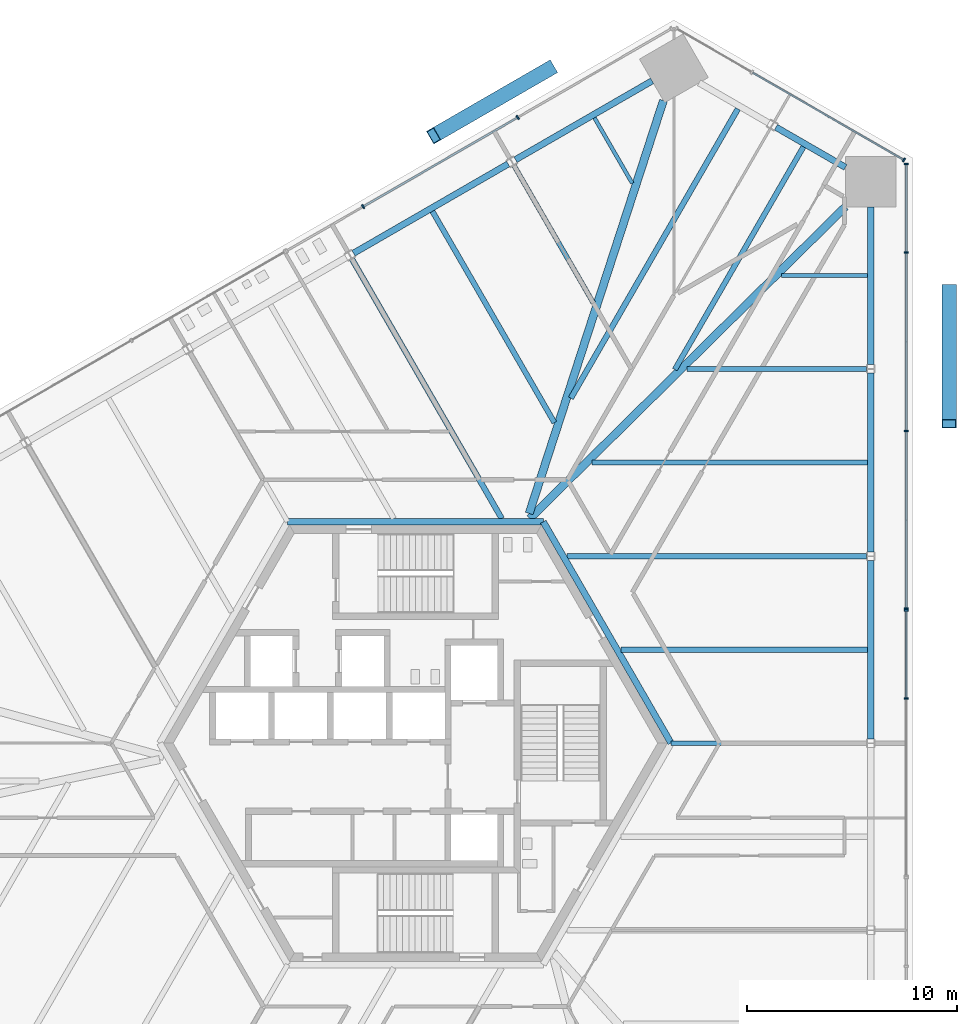
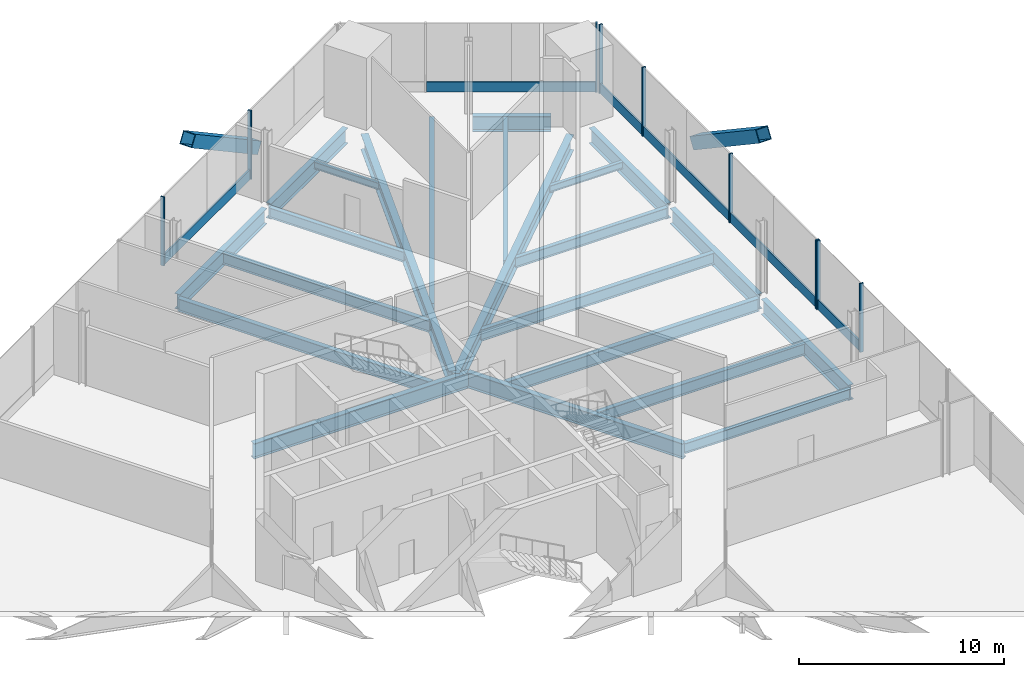
# One storey, part 7 of 16: 22 beams, 17 members, 4 elements without a shape of their own.
"""IFC4 building model written with IfcOpenShell, lengths in metres."""

from ifc_helpers import new_model, si_unit, direction, frame, origin, origin_2d, place, context, subcontext, project, spatial, rectangle, hollow_rectangle, i_section, extrude, source, transform, mapped, material, material_profile, profile_set, type_object, element, aggregate, save


model = new_model("IFC4")

# Units and contexts
model_context = context("Model", 3, precision=1e-05, world=origin(), true_north=direction((0.0, 1.0)))
body_context = subcontext(model_context, "Body", "Model", "MODEL_VIEW")
ifc_project = project(units=[si_unit("LENGTHUNIT", "METRE"), si_unit("AREAUNIT", "SQUARE_METRE"), si_unit("VOLUMEUNIT", "CUBIC_METRE"), si_unit("PLANEANGLEUNIT", "RADIAN"), si_unit("MASSUNIT", "GRAM", prefix="KILO")], contexts=[model_context])

# Site, building, storey
site_placement = place(None, origin())
site = spatial("IfcSite", under=ifc_project, at=site_placement, CompositionType="ELEMENT")
building_placement = place(site_placement, origin())
building = spatial("IfcBuilding", under=site, at=building_placement, Name="Triune Harvest Tower", CompositionType="ELEMENT")
storey_placement = place(building_placement, frame((0.0, 0.0, 20.300048828125)))
storey = spatial("IfcBuildingStorey", under=building, at=storey_placement, Name="L04", CompositionType="ELEMENT", Elevation=20.300048828125)

# Beams
ifc_material_1 = material(Name="Steel ASTM A992 Gr 50", Category="steel")
ifc_material_profile_1 = material_profile(ifc_material_1, i_section(OverallWidth=0.3046875, OverallDepth=0.914306640625, WebThickness=0.0166015625, FlangeThickness=0.02587890625, at=origin_2d()), Name="W36x160")
ifc_profile_set_1 = profile_set([ifc_material_profile_1], Name="Steel ASTM A992 Gr 50")
beam_type_1 = type_object("IfcBeamType", Name="CG-1 Core ring girder W36x160", PredefinedType="BEAM", material=ifc_profile_set_1)
shared_shape_1 = source(origin(), body_context, "Body", "SweptSolid", [
    extrude(i_section(OverallWidth=0.3046875, OverallDepth=0.914306640625, WebThickness=0.0166015625, FlangeThickness=0.02587890625, at=origin_2d()), origin(), (0.0, 0.0, 1.0), 12.176025390625),
])
beam_1_placement = place(storey_placement, frame((12.176025390625, 0.0, -0.6572265625), z_axis=(-0.5000099932, 0.866019634131, 0.0), x_axis=(-0.866019634131, -0.5000099932, 0.0)))
element("IfcBeam", 1, at=beam_1_placement, inside=storey, type_object=beam_type_1, Name="beam/L04/CG1", PredefinedType="BEAM", context=body_context, shape_type="MappedRepresentation", body=[
    mapped(shared_shape_1, transform((0.0, 0.0, 0.0), scale=1.0)),
])
shared_shape_2 = source(origin(), body_context, "Body", "SweptSolid", [
    extrude(i_section(OverallWidth=0.3046875, OverallDepth=0.914306640625, WebThickness=0.0166015625, FlangeThickness=0.02587890625, at=origin_2d()), origin(), (0.0, 0.0, 1.0), 12.17578125),
])
beam_2_placement = place(storey_placement, frame((6.087890625, 10.544677734375, -0.6572265625), z_axis=(-1.0, 0.0, 0.0), x_axis=(0.0, -1.0, 0.0)))
element("IfcBeam", 2, at=beam_2_placement, inside=storey, type_object=beam_type_1, Name="beam/L04/CG2", PredefinedType="BEAM", context=body_context, shape_type="MappedRepresentation", body=[
    mapped(shared_shape_2, transform((0.0, 0.0, 0.0), scale=1.0)),
])
ifc_material_2 = material(Name="Steel ASTM A992 Gr 50", Category="steel")
ifc_material_profile_2 = material_profile(ifc_material_2, i_section(OverallWidth=0.383544921875, OverallDepth=0.9423828125, WebThickness=0.022216796875, FlangeThickness=0.039794921875, at=origin_2d()), Name="W36x232")
ifc_profile_set_2 = profile_set([ifc_material_profile_2], Name="Steel ASTM A992 Gr 50")
beam_type_2 = type_object("IfcBeamType", Name="HG-1 Hip girder W36x232", PredefinedType="BEAM", material=ifc_profile_set_2)
shared_shape_3 = source(origin(), body_context, "Body", "SweptSolid", [
    extrude(i_section(OverallWidth=0.383544921875, OverallDepth=0.9423828125, WebThickness=0.022216796875, FlangeThickness=0.039794921875, at=origin_2d()), origin(), (0.0, 0.0, 1.0), 21.132568359375),
])
beam_3_placement = place(storey_placement, frame((20.4794921875, 25.545166015625, -0.671142578125), z_axis=(-0.711563602244, -0.7026216905, 0.0), x_axis=(0.7026216905, -0.711563602244, 0.0)))
element("IfcBeam", 3, at=beam_3_placement, inside=storey, type_object=beam_type_2, Name="beam/L04/HG2", PredefinedType="BEAM", context=body_context, shape_type="MappedRepresentation", body=[
    mapped(shared_shape_3, transform((0.0, 0.0, 0.0), scale=1.0)),
])
shared_shape_4 = source(origin(), body_context, "Body", "SweptSolid", [
    extrude(i_section(OverallWidth=0.383544921875, OverallDepth=0.9423828125, WebThickness=0.022216796875, FlangeThickness=0.039794921875, at=origin_2d()), origin(), (0.0, 0.0, 1.0), 20.676025390625),
])
beam_4_placement = place(storey_placement, frame((11.809814453125, 30.6044921875, -0.671142578125), z_axis=(-0.309191000288, -0.950999960747, 0.0), x_axis=(0.950999960747, -0.309191000288, 0.0)))
element("IfcBeam", 4, at=beam_4_placement, inside=storey, type_object=beam_type_2, Name="beam/L04/HG3", PredefinedType="BEAM", context=body_context, shape_type="MappedRepresentation", body=[
    mapped(shared_shape_4, transform((0.0, 0.0, 0.0), scale=1.0)),
])
ifc_material_3 = material(Name="Steel ASTM A992 Gr 50", Category="steel")
ifc_material_profile_3 = material_profile(ifc_material_3, i_section(OverallWidth=0.2666015625, OverallDepth=0.7568359375, WebThickness=0.013916015625, FlangeThickness=0.019287109375, at=origin_2d()), Name="W30x108")
ifc_profile_set_3 = profile_set([ifc_material_profile_3], Name="Steel ASTM A992 Gr 50")
beam_type_3 = type_object("IfcBeamType", Name="JT-5 Floor joist W30x108", PredefinedType="JOIST", material=ifc_profile_set_3)
shared_shape_5 = source(origin(), body_context, "Body", "SweptSolid", [
    extrude(i_section(OverallWidth=0.2666015625, OverallDepth=0.7568359375, WebThickness=0.013916015625, FlangeThickness=0.019287109375, at=origin_2d()), origin(), (0.0, 0.0, 1.0), 14.2685546875),
])
for number, where, z_axis, x_axis, name in (
    (5, (21.476318359375, 8.909912109375, -0.57861328125), (-1.0, 0.0, 0.0), (0.0, -1.0, 0.0), "beam/L04/JT8"),
    (6, (-3.02197265625, 23.053955078125, -0.57861328125), (0.499999916269, -0.866025452127, 0.0), (0.866025452127, 0.499999916269, 0.0), "beam/L04/JT17"),
):
    element("IfcBeam", number, at=place(storey_placement, frame(where, z_axis=z_axis, x_axis=x_axis)), inside=storey, type_object=beam_type_3, Name=name, PredefinedType="JOIST", context=body_context, shape_type="MappedRepresentation", body=[
        mapped(shared_shape_5, transform((0.0, 0.0, 0.0), scale=1.0)),
    ])
ifc_material_4 = material(Name="Steel ASTM A992 Gr 50", Category="steel")
ifc_material_profile_4 = material_profile(ifc_material_4, i_section(OverallWidth=0.22900390625, OverallDepth=0.612060546875, WebThickness=0.011962890625, FlangeThickness=0.01953125, at=origin_2d()), Name="W24x84")
ifc_profile_set_4 = profile_set([ifc_material_profile_4], Name="Steel ASTM A992 Gr 50")
beam_type_4 = type_object("IfcBeamType", Name="JT-3 Floor joist W24x84", PredefinedType="JOIST", material=ifc_profile_set_4)
shared_shape_6 = source(origin(), body_context, "Body", "SweptSolid", [
    extrude(i_section(OverallWidth=0.22900390625, OverallDepth=0.612060546875, WebThickness=0.011962890625, FlangeThickness=0.01953125, at=origin_2d()), origin(), (0.0, 0.0, 1.0), 9.30029296875),
])
beam_5_placement = place(storey_placement, frame((21.476318359375, 0.0, -0.506103515625), z_axis=(-1.0, 0.0, 0.0), x_axis=(0.0, -1.0, 0.0)))
element("IfcBeam", 7, at=beam_5_placement, inside=storey, type_object=beam_type_4, Name="beam/L04/JT6", PredefinedType="JOIST", context=body_context, shape_type="MappedRepresentation", body=[
    mapped(shared_shape_6, transform((0.0, 0.0, 0.0), scale=1.0)),
])
shared_shape_7 = source(origin(), body_context, "Body", "SweptSolid", [
    extrude(i_section(OverallWidth=0.22900390625, OverallDepth=0.612060546875, WebThickness=0.011962890625, FlangeThickness=0.01953125, at=origin_2d()), origin(), (0.0, 0.0, 1.0), 8.54736328125),
])
beam_6_placement = place(storey_placement, frame((21.476318359375, 17.820068359375, -0.506103515625), z_axis=(-1.0, 0.0, 0.0), x_axis=(0.0, -1.0, 0.0)))
element("IfcBeam", 8, at=beam_6_placement, inside=storey, type_object=beam_type_4, Name="beam/L04/JT10", PredefinedType="JOIST", context=body_context, shape_type="MappedRepresentation", body=[
    mapped(shared_shape_7, transform((0.0, 0.0, 0.0), scale=1.0)),
])
shared_shape_8 = source(origin(), body_context, "Body", "SweptSolid", [
    extrude(i_section(OverallWidth=0.22900390625, OverallDepth=0.612060546875, WebThickness=0.011962890625, FlangeThickness=0.01953125, at=origin_2d()), origin(), (0.0, 0.0, 1.0), 7.55859375),
])
beam_7_placement = place(storey_placement, frame((4.6943359375, 27.509033203125, -0.506103515625), z_axis=(0.500002049001, -0.86602422079, 0.0), x_axis=(0.86602422079, 0.500002049001, 0.0)))
element("IfcBeam", 9, at=beam_7_placement, inside=storey, type_object=beam_type_4, Name="beam/L04/JT15", PredefinedType="JOIST", context=body_context, shape_type="MappedRepresentation", body=[
    mapped(shared_shape_8, transform((0.0, 0.0, 0.0), scale=1.0)),
])
ifc_material_5 = material(Name="Steel ASTM A992 Gr 50", Category="steel")
ifc_material_profile_5 = material_profile(ifc_material_5, i_section(OverallWidth=0.3046875, OverallDepth=0.914306640625, WebThickness=0.0166015625, FlangeThickness=0.02587890625, at=origin_2d()), Name="W36x160")
ifc_profile_set_5 = profile_set([ifc_material_profile_5], Name="Steel ASTM A992 Gr 50")
beam_type_5 = type_object("IfcBeamType", Name="SB-1 Spandrel beam W36x160", PredefinedType="SPANDREL", material=ifc_profile_set_5)
shared_shape_9 = source(origin(), body_context, "Body", "SweptSolid", [
    extrude(i_section(OverallWidth=0.3046875, OverallDepth=0.914306640625, WebThickness=0.0166015625, FlangeThickness=0.02587890625, at=origin_2d()), origin(), (0.0, 0.0, 1.0), 7.508056640625),
])
beam_8_placement = place(storey_placement, frame((21.679443359375, 18.02197265625, -0.6572265625), z_axis=(0.0, 1.0, 0.0), x_axis=(-1.0, 0.0, 0.0)))
element("IfcBeam", 10, at=beam_8_placement, inside=storey, type_object=beam_type_5, Name="beam/L04/SB6", PredefinedType="SPANDREL", context=body_context, shape_type="MappedRepresentation", body=[
    mapped(shared_shape_9, transform((0.0, 0.0, 0.0), scale=1.0)),
])
shared_shape_10 = source(origin(), body_context, "Body", "SweptSolid", [
    extrude(i_section(OverallWidth=0.3046875, OverallDepth=0.914306640625, WebThickness=0.0166015625, FlangeThickness=0.02587890625, at=origin_2d()), origin(), (0.0, 0.0, 1.0), 8.50634765625),
])
beam_9_placement = place(storey_placement, frame((21.679443359375, 9.11181640625, -0.6572265625), z_axis=(0.0, 1.0, 0.0), x_axis=(-1.0, 0.0, 0.0)))
element("IfcBeam", 11, at=beam_9_placement, inside=storey, type_object=beam_type_5, Name="beam/L04/SB5", PredefinedType="SPANDREL", context=body_context, shape_type="MappedRepresentation", body=[
    mapped(shared_shape_10, transform((0.0, 0.0, 0.0), scale=1.0)),
])
shared_shape_11 = source(origin(), body_context, "Body", "SweptSolid", [
    extrude(i_section(OverallWidth=0.3046875, OverallDepth=0.914306640625, WebThickness=0.0166015625, FlangeThickness=0.02587890625, at=origin_2d()), origin(), (0.0, 0.0, 1.0), 8.506103515625),
])
for number, where, z_axis, x_axis, name in (
    (12, (21.679443359375, 0.201904296875, -0.6572265625), (0.0, 1.0, 0.0), (-1.0, 0.0, 0.0), "beam/L04/SB4"),
    (13, (4.41796875, 27.583984375, -0.6572265625), (-0.866030246746, -0.49999161165, 0.0), (0.49999161165, -0.866030246746, 0.0), "beam/L04/SB10"),
):
    element("IfcBeam", number, at=place(storey_placement, frame(where, z_axis=z_axis, x_axis=x_axis)), inside=storey, type_object=beam_type_5, Name=name, PredefinedType="SPANDREL", context=body_context, shape_type="MappedRepresentation", body=[
        mapped(shared_shape_11, transform((0.0, 0.0, 0.0), scale=1.0)),
    ])
shared_shape_12 = source(origin(), body_context, "Body", "SweptSolid", [
    extrude(i_section(OverallWidth=0.3046875, OverallDepth=0.914306640625, WebThickness=0.0166015625, FlangeThickness=0.02587890625, at=origin_2d()), origin(), (0.0, 0.0, 1.0), 3.822265625),
])
beam_10_placement = place(storey_placement, frame((20.4794921875, 27.4228515625, -0.6572265625), z_axis=(-0.866033487859, 0.499985997711, 0.0), x_axis=(-0.499985997711, -0.866033487859, 0.0)))
element("IfcBeam", 14, at=beam_10_placement, inside=storey, type_object=beam_type_5, Name="beam/L04/SB7", PredefinedType="SPANDREL", context=body_context, shape_type="MappedRepresentation", body=[
    mapped(shared_shape_12, transform((0.0, 0.0, 0.0), scale=1.0)),
])
shared_shape_13 = source(origin(), body_context, "Body", "SweptSolid", [
    extrude(i_section(OverallWidth=0.3046875, OverallDepth=0.914306640625, WebThickness=0.0166015625, FlangeThickness=0.02587890625, at=origin_2d()), origin(), (0.0, 0.0, 1.0), 7.50830078125),
])
beam_11_placement = place(storey_placement, frame((11.27001953125, 31.5400390625, -0.6572265625), z_axis=(-0.866027474485, -0.499996413425, 0.0), x_axis=(0.499996413425, -0.866027474485, 0.0)))
element("IfcBeam", 15, at=beam_11_placement, inside=storey, type_object=beam_type_5, Name="beam/L04/SB9", PredefinedType="SPANDREL", context=body_context, shape_type="MappedRepresentation", body=[
    mapped(shared_shape_13, transform((0.0, 0.0, 0.0), scale=1.0)),
])
ifc_material_6 = material(Name="Steel ASTM A992 Gr 50", Category="steel")
ifc_material_profile_6 = material_profile(ifc_material_6, i_section(OverallWidth=0.180908203125, OverallDepth=0.41650390625, WebThickness=0.010986328125, FlangeThickness=0.01806640625, at=origin_2d()), Name="W16x57")
ifc_profile_set_6 = profile_set([ifc_material_profile_6], Name="Steel ASTM A992 Gr 50")
beam_type_6 = type_object("IfcBeamType", Name="JT-1 Floor joist W16x57", PredefinedType="JOIST", material=ifc_profile_set_6)
shared_shape_14 = source(origin(), body_context, "Body", "SweptSolid", [
    extrude(i_section(OverallWidth=0.180908203125, OverallDepth=0.41650390625, WebThickness=0.010986328125, FlangeThickness=0.01806640625, at=origin_2d()), origin(), (0.0, 0.0, 1.0), 3.599365234375),
])
beam_12_placement = place(storey_placement, frame((8.527099609375, 29.780517578125, -0.408447265625), z_axis=(0.50001992892, -0.866013897511, 0.0), x_axis=(0.866013897511, 0.50001992892, 0.0)))
element("IfcBeam", 16, at=beam_12_placement, inside=storey, type_object=beam_type_6, Name="beam/L04/JT14", PredefinedType="JOIST", context=body_context, shape_type="MappedRepresentation", body=[
    mapped(shared_shape_14, transform((0.0, 0.0, 0.0), scale=1.0)),
])
ifc_material_7 = material(Name="Steel ASTM A992 Gr 50", Category="steel")
ifc_material_profile_7 = material_profile(ifc_material_7, i_section(OverallWidth=0.253662109375, OverallDepth=0.683349609375, WebThickness=0.012451171875, FlangeThickness=0.01904296875, at=origin_2d()), Name="W27x94")
ifc_profile_set_7 = profile_set([ifc_material_profile_7], Name="Steel ASTM A992 Gr 50")
beam_type_7 = type_object("IfcBeamType", Name="JT-4 Floor joist W27x94", PredefinedType="JOIST", material=ifc_profile_set_7)
shared_shape_15 = source(origin(), body_context, "Body", "SweptSolid", [
    extrude(i_section(OverallWidth=0.253662109375, OverallDepth=0.683349609375, WebThickness=0.012451171875, FlangeThickness=0.01904296875, at=origin_2d()), origin(), (0.0, 0.0, 1.0), 11.747314453125),
])
beam_13_placement = place(storey_placement, frame((21.527099609375, 4.455078125, -0.541748046875), z_axis=(-1.0, 0.0, 0.0), x_axis=(0.0, -1.0, 0.0)))
element("IfcBeam", 17, at=beam_13_placement, inside=storey, type_object=beam_type_7, Name="beam/L04/JT7", PredefinedType="JOIST", context=body_context, shape_type="MappedRepresentation", body=[
    mapped(shared_shape_15, transform((0.0, 0.0, 0.0), scale=1.0)),
])
shared_shape_16 = source(origin(), body_context, "Body", "SweptSolid", [
    extrude(i_section(OverallWidth=0.253662109375, OverallDepth=0.683349609375, WebThickness=0.012451171875, FlangeThickness=0.01904296875, at=origin_2d()), origin(), (0.0, 0.0, 1.0), 13.110107421875),
])
beam_14_placement = place(storey_placement, frame((21.527099609375, 13.364990234375, -0.541748046875), z_axis=(-1.0, 0.0, 0.0), x_axis=(0.0, -1.0, 0.0)))
element("IfcBeam", 18, at=beam_14_placement, inside=storey, type_object=beam_type_7, Name="beam/L04/JT9", PredefinedType="JOIST", context=body_context, shape_type="MappedRepresentation", body=[
    mapped(shared_shape_16, transform((0.0, 0.0, 0.0), scale=1.0)),
])
shared_shape_17 = source(origin(), body_context, "Body", "SweptSolid", [
    extrude(i_section(OverallWidth=0.180908203125, OverallDepth=0.41650390625, WebThickness=0.010986328125, FlangeThickness=0.01806640625, at=origin_2d()), origin(), (0.0, 0.0, 1.0), 4.08642578125),
])
beam_15_placement = place(storey_placement, frame((21.527099609375, 22.27490234375, -0.408447265625), z_axis=(-1.0, 0.0, 0.0), x_axis=(0.0, -1.0, 0.0)))
element("IfcBeam", 19, at=beam_15_placement, inside=storey, type_object=beam_type_6, Name="beam/L04/JT11", PredefinedType="JOIST", context=body_context, shape_type="MappedRepresentation", body=[
    mapped(shared_shape_17, transform((0.0, 0.0, 0.0), scale=1.0)),
])
shared_shape_18 = source(origin(), body_context, "Body", "SweptSolid", [
    extrude(i_section(OverallWidth=0.253662109375, OverallDepth=0.683349609375, WebThickness=0.012451171875, FlangeThickness=0.01904296875, at=origin_2d()), origin(), (0.0, 0.0, 1.0), 12.2509765625),
])
beam_16_placement = place(storey_placement, frame((18.479736328125, 28.4013671875, -0.541748046875), z_axis=(-0.500001335473, -0.866024632748, 0.0), x_axis=(0.866024632748, -0.500001335473, 0.0)))
element("IfcBeam", 20, at=beam_16_placement, inside=storey, type_object=beam_type_7, Name="beam/L04/JT12", PredefinedType="JOIST", context=body_context, shape_type="MappedRepresentation", body=[
    mapped(shared_shape_18, transform((0.0, 0.0, 0.0), scale=1.0)),
])
shared_shape_19 = source(origin(), body_context, "Body", "SweptSolid", [
    extrude(i_section(OverallWidth=0.2666015625, OverallDepth=0.7568359375, WebThickness=0.013916015625, FlangeThickness=0.019287109375, at=origin_2d()), origin(), (0.0, 0.0, 1.0), 15.90771484375),
])
beam_17_placement = place(storey_placement, frame((15.3564453125, 30.20458984375, -0.57861328125), z_axis=(-0.500003211559, -0.866023549582, 0.0), x_axis=(0.866023549582, -0.500003211559, 0.0)))
element("IfcBeam", 21, at=beam_17_placement, inside=storey, type_object=beam_type_3, Name="beam/L04/JT13", PredefinedType="JOIST", context=body_context, shape_type="MappedRepresentation", body=[
    mapped(shared_shape_19, transform((0.0, 0.0, 0.0), scale=1.0)),
])
shared_shape_20 = source(origin(), body_context, "Body", "SweptSolid", [
    extrude(i_section(OverallWidth=0.253662109375, OverallDepth=0.683349609375, WebThickness=0.012451171875, FlangeThickness=0.01904296875, at=origin_2d()), origin(), (0.0, 0.0, 1.0), 11.618896484375),
])
beam_18_placement = place(storey_placement, frame((0.810791015625, 25.325439453125, -0.541748046875), z_axis=(0.500008015982, -0.866020775706, 0.0), x_axis=(0.866020775706, 0.500008015982, 0.0)))
element("IfcBeam", 22, at=beam_18_placement, inside=storey, type_object=beam_type_7, Name="beam/L04/JT16", PredefinedType="JOIST", context=body_context, shape_type="MappedRepresentation", body=[
    mapped(shared_shape_20, transform((0.0, 0.0, 0.0), scale=1.0)),
])

# Members
ifc_material_8 = material(Name="Steel ASTM A572 Gr 50", Category="steel")
ifc_material_profile_8 = material_profile(ifc_material_8, hollow_rectangle(XDim=0.699951171875, YDim=0.699951171875, WallThickness=0.0400390625, at=origin_2d()), Name="Box 700x700x40")
ifc_profile_set_8 = profile_set([ifc_material_profile_8], Name="Steel ASTM A572 Gr 50")
member_type_1 = type_object("IfcMemberType", Name="BR-1 Brace Box 700x700x40", PredefinedType="BRACE", material=ifc_profile_set_8)
shared_shape_21 = source(origin(), body_context, "Body", "SweptSolid", [
    extrude(hollow_rectangle(XDim=0.699951171875, YDim=0.699951171875, WallThickness=0.0400390625, at=origin_2d()), origin(), (0.0, 0.0, 1.0), 7.728271484375),
])
member_1_placement = place(storey_placement, frame((25.42138671875, 21.63720703125, 0.0), z_axis=(0.0, -0.830916174562, 0.55639761938), x_axis=(1.0, 0.0, 0.0)))
element("IfcMember", 23, at=member_1_placement, inside=storey, type_object=member_type_1, Name="brace/B1-F1/d2/2", PredefinedType="BRACE", context=body_context, shape_type="MappedRepresentation", body=[
    mapped(shared_shape_21, transform((0.0, 0.0, 0.0), scale=1.0)),
])
shared_shape_22 = source(origin(), body_context, "Body", "SweptSolid", [
    extrude(hollow_rectangle(XDim=0.699951171875, YDim=0.699951171875, WallThickness=0.0400390625, at=origin_2d()), origin(), (0.0, 0.0, 1.0), 7.728515625),
])
member_2_placement = place(storey_placement, frame((6.427734375, 32.141357421875, 0.0), z_axis=(-0.719604017031, -0.415462336786, 0.556382157681), x_axis=(0.499998884236, -0.86602604797, 0.0)))
element("IfcMember", 24, at=member_2_placement, inside=storey, type_object=member_type_1, Name="brace/B1-F3/d1/2", PredefinedType="BRACE", context=body_context, shape_type="MappedRepresentation", body=[
    mapped(shared_shape_22, transform((0.0, 0.0, 0.0), scale=1.0)),
])

# Curtain wall, member
ifc_material_9 = material(Name="Aluminium bronze anodised", Category="aluminium")
curtain_wall_type_1 = type_object("IfcCurtainWallType", Name="CW-3 Farm floor curtain wall", PredefinedType="NOTDEFINED", material=ifc_material_9)
curtain_wall_1_placement = place(storey_placement, origin())
curtain_wall_1 = element("IfcCurtainWall", 25, at=curtain_wall_1_placement, inside=storey, type_object=curtain_wall_type_1, Name="CW-3 B1-F2 L04 run 1")
ifc_material_10 = material(Name="Aluminium bronze anodised", Category="aluminium")
ifc_material_profile_9 = material_profile(ifc_material_10, rectangle(XDim=0.090087890625, YDim=0.60009765625, at=origin_2d()), Name="TR-3 transom 90 x 600")
ifc_profile_set_9 = profile_set([ifc_material_profile_9], Name="Aluminium bronze anodised")
member_type_2 = type_object("IfcMemberType", Name="TR-3 transom 90 x 600", PredefinedType="USERDEFINED", material=ifc_profile_set_9)
shared_shape_23 = source(origin(), body_context, "Body", "SweptSolid", [
    extrude(rectangle(XDim=0.090087890625, YDim=0.60009765625, at=origin_2d()), origin(), (0.0, 0.0, 1.0), 8.27587890625),
])
member_3_placement = place(storey_placement, frame((23.22412109375, 27.791748046875, 0.300048828125), z_axis=(-0.866021501281, 0.500006759273, 0.0), x_axis=(-0.500006759273, -0.866021501281, 0.0)))
member_3 = element("IfcMember", 26, at=member_3_placement, type_object=member_type_2, Name="CW-3 transom B1-F2 1.1", ObjectType="TRANSOM", PredefinedType="USERDEFINED", context=body_context, shape_type="MappedRepresentation", body=[
    mapped(shared_shape_23, transform((0.0, 0.0, 0.0), scale=1.0)),
])

# Curtain wall, members
curtain_wall_2_placement = place(storey_placement, origin())
curtain_wall_2 = element("IfcCurtainWall", 27, at=curtain_wall_2_placement, inside=storey, type_object=curtain_wall_type_1, Name="CW-3 B1-F1 L04 run 1001")
ifc_material_11 = material(Name="Aluminium bronze anodised", Category="aluminium")
ifc_material_profile_10 = material_profile(ifc_material_11, rectangle(XDim=0.199951171875, YDim=0.080078125, at=origin_2d()), Name="MU-3 mullion 80 x 200")
ifc_profile_set_10 = profile_set([ifc_material_profile_10], Name="Aluminium bronze anodised")
member_type_3 = type_object("IfcMemberType", Name="MU-3 mullion 80 x 200", PredefinedType="MULLION", material=ifc_profile_set_10)
shared_shape_24 = source(origin(), body_context, "Body", "SweptSolid", [
    extrude(rectangle(XDim=0.199951171875, YDim=0.080078125, at=origin_2d()), origin(), (0.0, 0.0, 1.0), 4.099853515625),
])
member_4_placement = place(storey_placement, frame((23.371337890625, 2.124267578125, 0.0), z_axis=(0.0, 0.0, 1.0), x_axis=(-1.0, 0.0, 0.0)))
member_4 = element("IfcMember", 28, at=member_4_placement, type_object=member_type_3, Name="CW-3 mullion B1-F1 1001.3", PredefinedType="MULLION", context=body_context, shape_type="MappedRepresentation", body=[
    mapped(shared_shape_24, transform((0.0, 0.0, 0.0), scale=1.0)),
])
member_5_placement = place(storey_placement, frame((23.371337890625, 6.3330078125, 0.0), z_axis=(0.0, 0.0, 1.0), x_axis=(-1.0, 0.0, 0.0)))
member_5 = element("IfcMember", 29, at=member_5_placement, type_object=member_type_3, Name="CW-3 mullion B1-F1 1001.4", PredefinedType="MULLION", context=body_context, shape_type="MappedRepresentation", body=[
    mapped(shared_shape_24, transform((0.0, 0.0, 0.0), scale=1.0)),
])

ifc_material_12 = material(Name="Aluminium bronze anodised", Category="aluminium")
curtain_wall_type_2 = type_object("IfcCurtainWallType", Name="CW-8 Farm floor curtain wall with insulated spandrel infill", PredefinedType="NOTDEFINED", material=ifc_material_12)
curtain_wall_3_placement = place(storey_placement, origin())
curtain_wall_3 = element("IfcCurtainWall", 30, at=curtain_wall_3_placement, inside=storey, type_object=curtain_wall_type_2, Name="CW-8 B1-F1 L04 run 2001")
member_6_placement = place(storey_placement, frame((23.371337890625, 6.4130859375, 0.0), z_axis=(0.0, 0.0, 1.0), x_axis=(-1.0, 0.0, 0.0)))
member_6 = element("IfcMember", 31, at=member_6_placement, type_object=member_type_3, Name="CW-8 mullion B1-F1 2001.1", PredefinedType="MULLION", context=body_context, shape_type="MappedRepresentation", body=[
    mapped(shared_shape_24, transform((0.0, 0.0, 0.0), scale=1.0)),
])
member_7_placement = place(storey_placement, frame((23.371337890625, 14.87060546875, 0.0), z_axis=(0.0, 0.0, 1.0), x_axis=(-1.0, 0.0, 0.0)))
member_7 = element("IfcMember", 32, at=member_7_placement, type_object=member_type_3, Name="CW-8 mullion B1-F1 2001.3", PredefinedType="MULLION", context=body_context, shape_type="MappedRepresentation", body=[
    mapped(shared_shape_24, transform((0.0, 0.0, 0.0), scale=1.0)),
])
member_8_placement = place(storey_placement, frame((23.371337890625, 23.3681640625, 0.0), z_axis=(0.0, 0.0, 1.0), x_axis=(-1.0, 0.0, 0.0)))
member_8 = element("IfcMember", 33, at=member_8_placement, type_object=member_type_3, Name="CW-8 mullion B1-F1 2001.5", PredefinedType="MULLION", context=body_context, shape_type="MappedRepresentation", body=[
    mapped(shared_shape_24, transform((0.0, 0.0, 0.0), scale=1.0)),
])
member_9_placement = place(storey_placement, frame((23.371337890625, 27.576904296875, 0.0), z_axis=(0.0, 0.0, 1.0), x_axis=(-1.0, 0.0, 0.0)))
member_9 = element("IfcMember", 34, at=member_9_placement, type_object=member_type_3, Name="CW-8 mullion B1-F1 2001.6", PredefinedType="MULLION", context=body_context, shape_type="MappedRepresentation", body=[
    mapped(shared_shape_24, transform((0.0, 0.0, 0.0), scale=1.0)),
])

# Member
member_10_placement = place(storey_placement, frame((23.2587890625, 27.771728515625, 0.0), z_axis=(0.0, 0.0, 1.0), x_axis=(-0.499998715149, -0.866026145592, 0.0)))
member_10 = element("IfcMember", 35, at=member_10_placement, type_object=member_type_3, Name="CW-3 mullion B1-F2 1.1", PredefinedType="MULLION", context=body_context, shape_type="MappedRepresentation", body=[
    mapped(shared_shape_24, transform((0.0, 0.0, 0.0), scale=1.0)),
])

aggregate(curtain_wall_1, [member_10, member_3])

# Curtain wall, members
curtain_wall_4_placement = place(storey_placement, origin())
curtain_wall_4 = element("IfcCurtainWall", 36, at=curtain_wall_4_placement, inside=storey, type_object=curtain_wall_type_2, Name="CW-8 B1-F3 L04 run 1")
member_11_placement = place(storey_placement, frame((4.8720703125, 29.7998046875, 0.0), z_axis=(0.0, 0.0, 1.0), x_axis=(0.499998768415, -0.866026114839, 0.0)))
member_11 = element("IfcMember", 37, at=member_11_placement, type_object=member_type_3, Name="CW-8 mullion B1-F3 1.3", PredefinedType="MULLION", context=body_context, shape_type="MappedRepresentation", body=[
    mapped(shared_shape_24, transform((0.0, 0.0, 0.0), scale=1.0)),
])
member_12_placement = place(storey_placement, frame((-2.48681640625, 25.55126953125, 0.0), z_axis=(0.0, 0.0, 1.0), x_axis=(0.499998768415, -0.866026114839, 0.0)))
member_12 = element("IfcMember", 38, at=member_12_placement, type_object=member_type_3, Name="CW-8 mullion B1-F3 1.5", PredefinedType="MULLION", context=body_context, shape_type="MappedRepresentation", body=[
    mapped(shared_shape_24, transform((0.0, 0.0, 0.0), scale=1.0)),
])

# Member
shared_shape_25 = source(origin(), body_context, "Body", "SweptSolid", [
    extrude(rectangle(XDim=0.090087890625, YDim=0.60009765625, at=origin_2d()), origin(), (0.0, 0.0, 1.0), 8.37744140625),
])
member_13_placement = place(storey_placement, frame((23.371337890625, 6.453125, 0.300048828125), z_axis=(0.0, 1.0, 0.0), x_axis=(-1.0, 0.0, 0.0)))
member_13 = element("IfcMember", 39, at=member_13_placement, type_object=member_type_2, Name="CW-8 transom B1-F1 2001.1", ObjectType="TRANSOM", PredefinedType="USERDEFINED", context=body_context, shape_type="MappedRepresentation", body=[
    mapped(shared_shape_25, transform((0.0, 0.0, 0.0), scale=1.0)),
])

shared_shape_26 = source(origin(), body_context, "Body", "SweptSolid", [
    extrude(rectangle(XDim=0.090087890625, YDim=0.60009765625, at=origin_2d()), origin(), (0.0, 0.0, 1.0), 8.41748046875),
])
member_14_placement = place(storey_placement, frame((23.371337890625, 14.91064453125, 0.300048828125), z_axis=(0.0, 1.0, 0.0), x_axis=(-1.0, 0.0, 0.0)))
member_14 = element("IfcMember", 40, at=member_14_placement, type_object=member_type_2, Name="CW-8 transom B1-F1 2001.2", ObjectType="TRANSOM", PredefinedType="USERDEFINED", context=body_context, shape_type="MappedRepresentation", body=[
    mapped(shared_shape_26, transform((0.0, 0.0, 0.0), scale=1.0)),
])

shared_shape_27 = source(origin(), body_context, "Body", "SweptSolid", [
    extrude(rectangle(XDim=0.090087890625, YDim=0.60009765625, at=origin_2d()), origin(), (0.0, 0.0, 1.0), 4.12890625),
])
member_15_placement = place(storey_placement, frame((23.371337890625, 2.164306640625, 0.300048828125), z_axis=(0.0, 1.0, 0.0), x_axis=(-1.0, 0.0, 0.0)))
member_15 = element("IfcMember", 41, at=member_15_placement, type_object=member_type_2, Name="CW-3 transom B1-F1 1001.2", ObjectType="TRANSOM", PredefinedType="USERDEFINED", context=body_context, shape_type="MappedRepresentation", body=[
    mapped(shared_shape_27, transform((0.0, 0.0, 0.0), scale=1.0)),
])

aggregate(curtain_wall_2, [member_4, member_5, member_15])

member_16_placement = place(storey_placement, frame((23.371337890625, 23.407958984375, 0.300048828125), z_axis=(0.0, 1.0, 0.0), x_axis=(-1.0, 0.0, 0.0)))
member_16 = element("IfcMember", 42, at=member_16_placement, type_object=member_type_2, Name="CW-8 transom B1-F1 2001.3", ObjectType="TRANSOM", PredefinedType="USERDEFINED", context=body_context, shape_type="MappedRepresentation", body=[
    mapped(shared_shape_27, transform((0.0, 0.0, 0.0), scale=1.0)),
])

aggregate(curtain_wall_3, [member_6, member_7, member_8, member_9, member_13, member_14, member_16])

shared_shape_28 = source(origin(), body_context, "Body", "SweptSolid", [
    extrude(rectangle(XDim=0.090087890625, YDim=0.60009765625, at=origin_2d()), origin(), (0.0, 0.0, 1.0), 8.417236328125),
])
member_17_placement = place(storey_placement, frame((4.83740234375, 29.77978515625, 0.300048828125), z_axis=(-0.866019429705, -0.500010347266, 0.0), x_axis=(0.500010347266, -0.866019429705, 0.0)))
member_17 = element("IfcMember", 43, at=member_17_placement, type_object=member_type_2, Name="CW-8 transom B1-F3 1.2", ObjectType="TRANSOM", PredefinedType="USERDEFINED", context=body_context, shape_type="MappedRepresentation", body=[
    mapped(shared_shape_28, transform((0.0, 0.0, 0.0), scale=1.0)),
])

aggregate(curtain_wall_4, [member_11, member_12, member_17])

save(model, "model.ifc")
